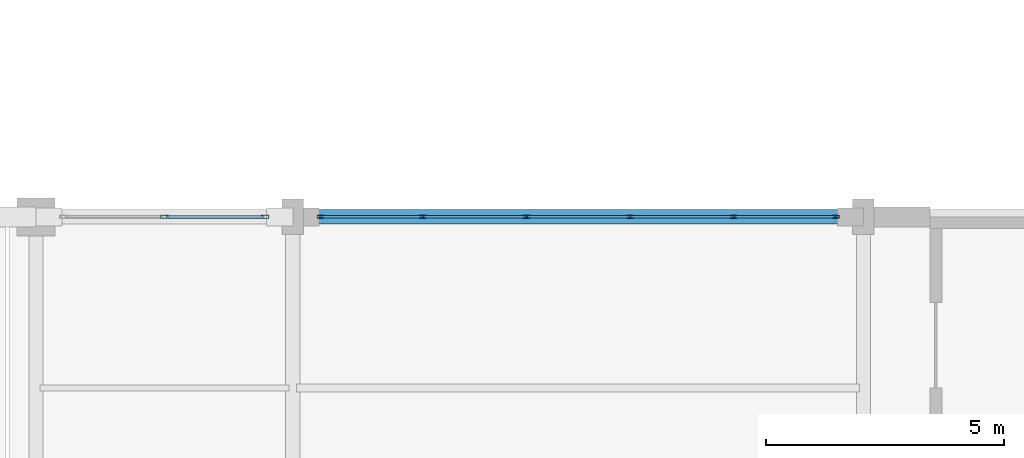
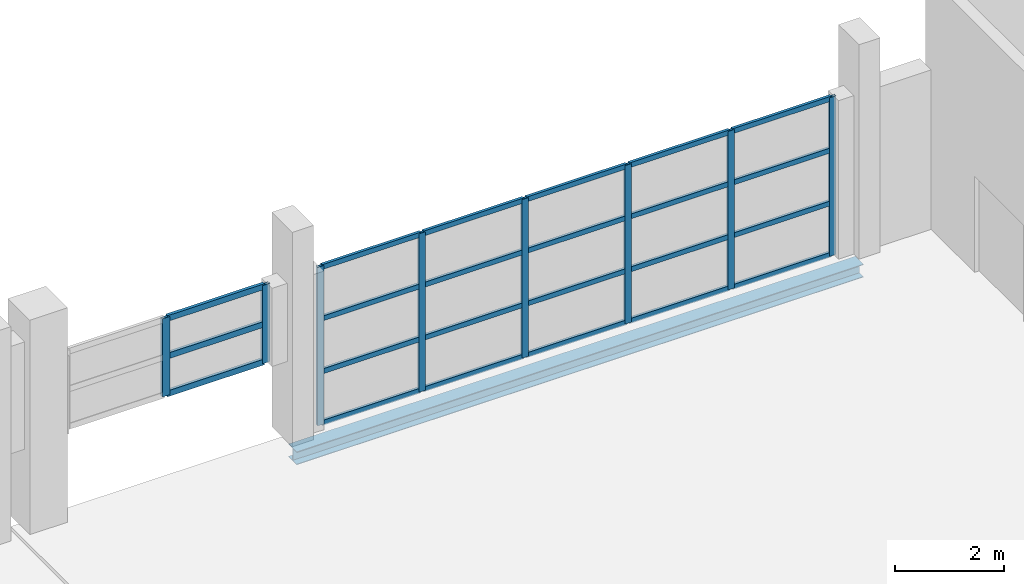
# One storey, part 65 of 86: 31 members, 1 beam, 2 elements without a shape of their own.
"""IFC4 building model written with IfcOpenShell, lengths in metres."""

from ifc_helpers import new_model, si_unit, direction, frame, origin, origin_2d, place, context, subcontext, project, spatial, hollow_rectangle, i_section, extrude, material, layer, layer_set, material_profile, profile_set, type_object, element, aggregate, save


model = new_model("IFC4")

# Units and contexts
model_context = context("Model", 3, precision=1e-05, world=origin(), true_north=direction((0.0, 1.0)))
body_context = subcontext(model_context, "Body", "Model", "MODEL_VIEW")
ifc_project = project(units=[si_unit("LENGTHUNIT", "METRE"), si_unit("AREAUNIT", "SQUARE_METRE"), si_unit("VOLUMEUNIT", "CUBIC_METRE"), si_unit("PLANEANGLEUNIT", "RADIAN"), si_unit("MASSUNIT", "GRAM", prefix="KILO")], contexts=[model_context])

# Site, building, storey
site_placement = place(None, origin())
site = spatial("IfcSite", under=ifc_project, at=site_placement, CompositionType="ELEMENT")
building_placement = place(site_placement, origin())
building = spatial("IfcBuilding", under=site, at=building_placement, Name="Zilviju Railside Exhibition Hall", CompositionType="ELEMENT")
storey_placement = place(building_placement, frame((0.0, 0.0, 12.60009765625)))
storey = spatial("IfcBuildingStorey", under=building, at=storey_placement, Name="L04", CompositionType="ELEMENT", Elevation=12.60009765625)

# Beam
ifc_material_1 = material(Name="Steel S355J2", Category="steel")
ifc_material_profile_1 = material_profile(ifc_material_1, i_section(OverallWidth=0.300048828125, OverallDepth=0.2900390625, WebThickness=0.008544921875, FlangeThickness=0.013916015625, at=origin_2d()), Name="HEA 300")
ifc_profile_set_1 = profile_set([ifc_material_profile_1], Name="Steel S355J2")
beam_type = type_object("IfcBeamType", Name="BM-HEA300", PredefinedType="SPANDREL", material=ifc_profile_set_1)
beam_placement = place(storey_placement, frame((180.0, 138.0, -0.47509765625), z_axis=(1.0, 0.0, 0.0), x_axis=(0.0, 1.0, 0.0)))
element("IfcBeam", 1, at=beam_placement, inside=storey, type_object=beam_type, Name="Primary Girder L04 Y=138.0 (180.0..192.0)", PredefinedType="SPANDREL", context=body_context, shape_type="SweptSolid", body=[
    extrude(i_section(OverallWidth=0.300048828125, OverallDepth=0.2900390625, WebThickness=0.008544921875, FlangeThickness=0.013916015625, at=origin_2d()), origin(), (0.0, 0.0, 1.0), 12.0),
])

# Curtain wall, members
ifc_material_2 = material(Name="Thermally broken aluminium-steel triple-glazed curtain wall", Category="steel")
ifc_layer_1 = layer(ifc_material_2, 0.179931640625)
ifc_layer_set_1 = layer_set([ifc_layer_1], Name="Thermally broken aluminium-steel triple-glazed curtain wall")
curtain_wall_type_1 = type_object("IfcCurtainWallType", Name="CW-BAY-11", PredefinedType="USERDEFINED", material=ifc_layer_set_1)
curtain_wall_1_placement = place(storey_placement, origin())
curtain_wall_1 = element("IfcCurtainWall", 2, at=curtain_wall_1_placement, inside=storey, type_object=curtain_wall_type_1, Name="North Hall Clerestory Curtain Wall L04 (180..192)", ObjectType="GLAZED CURTAIN WALL", PredefinedType="USERDEFINED")
ifc_material_3 = material(Name="Thermally broken anodized aluminium mullion", Category="aluminium")
ifc_material_profile_2 = material_profile(ifc_material_3, hollow_rectangle(XDim=0.06005859375, YDim=0.139892578125, WallThickness=0.0048828125, at=origin_2d()), Name="MULLION 140x60x5")
ifc_profile_set_2 = profile_set([ifc_material_profile_2], Name="Thermally broken anodized aluminium mullion")
member_type_1 = type_object("IfcMemberType", Name="CWM-60x140", PredefinedType="MULLION", material=ifc_profile_set_2)
member_1_placement = place(storey_placement, frame((180.580078125, 138.0, 0.0), z_axis=(0.0, 0.0, 1.0), x_axis=(0.0, 1.0, 0.0)))
member_1 = element("IfcMember", 3, at=member_1_placement, type_object=member_type_1, Name="CW-11 mullion 1", PredefinedType="MULLION", context=body_context, shape_type="SweptSolid", body=[
    extrude(hollow_rectangle(XDim=0.06005859375, YDim=0.139892578125, WallThickness=0.0048828125, at=origin_2d()), origin(), (0.0, 0.0, 1.0), 3.5498046875),
])
member_2_placement = place(storey_placement, frame((182.72998046875, 138.0, 0.0), z_axis=(0.0, 0.0, 1.0), x_axis=(0.0, 1.0, 0.0)))
member_2 = element("IfcMember", 4, at=member_2_placement, type_object=member_type_1, Name="CW-11 mullion 2", PredefinedType="MULLION", context=body_context, shape_type="SweptSolid", body=[
    extrude(hollow_rectangle(XDim=0.06005859375, YDim=0.139892578125, WallThickness=0.0048828125, at=origin_2d()), origin(), (0.0, 0.0, 1.0), 3.5498046875),
])
member_3_placement = place(storey_placement, frame((184.909912109375, 138.0, 0.0), z_axis=(0.0, 0.0, 1.0), x_axis=(0.0, 1.0, 0.0)))
member_3 = element("IfcMember", 5, at=member_3_placement, type_object=member_type_1, Name="CW-11 mullion 3", PredefinedType="MULLION", context=body_context, shape_type="SweptSolid", body=[
    extrude(hollow_rectangle(XDim=0.06005859375, YDim=0.139892578125, WallThickness=0.0048828125, at=origin_2d()), origin(), (0.0, 0.0, 1.0), 3.5498046875),
])
member_4_placement = place(storey_placement, frame((187.090087890625, 138.0, 0.0), z_axis=(0.0, 0.0, 1.0), x_axis=(0.0, 1.0, 0.0)))
member_4 = element("IfcMember", 6, at=member_4_placement, type_object=member_type_1, Name="CW-11 mullion 4", PredefinedType="MULLION", context=body_context, shape_type="SweptSolid", body=[
    extrude(hollow_rectangle(XDim=0.06005859375, YDim=0.139892578125, WallThickness=0.0048828125, at=origin_2d()), origin(), (0.0, 0.0, 1.0), 3.5498046875),
])
member_5_placement = place(storey_placement, frame((189.27001953125, 138.0, 0.0), z_axis=(0.0, 0.0, 1.0), x_axis=(0.0, 1.0, 0.0)))
member_5 = element("IfcMember", 7, at=member_5_placement, type_object=member_type_1, Name="CW-11 mullion 5", PredefinedType="MULLION", context=body_context, shape_type="SweptSolid", body=[
    extrude(hollow_rectangle(XDim=0.06005859375, YDim=0.139892578125, WallThickness=0.0048828125, at=origin_2d()), origin(), (0.0, 0.0, 1.0), 3.5498046875),
])
member_6_placement = place(storey_placement, frame((191.419921875, 138.0, 0.0), z_axis=(0.0, 0.0, 1.0), x_axis=(0.0, 1.0, 0.0)))
member_6 = element("IfcMember", 8, at=member_6_placement, type_object=member_type_1, Name="CW-11 mullion 6", PredefinedType="MULLION", context=body_context, shape_type="SweptSolid", body=[
    extrude(hollow_rectangle(XDim=0.06005859375, YDim=0.139892578125, WallThickness=0.0048828125, at=origin_2d()), origin(), (0.0, 0.0, 1.0), 3.5498046875),
])

ifc_layer_2 = layer(ifc_material_2, 0.179931640625)
ifc_layer_set_2 = layer_set([ifc_layer_2], Name="Thermally broken aluminium-steel triple-glazed curtain wall")
curtain_wall_type_2 = type_object("IfcCurtainWallType", Name="CW-BAY-10", PredefinedType="USERDEFINED", material=ifc_layer_set_2)
curtain_wall_2_placement = place(storey_placement, origin())
curtain_wall_2 = element("IfcCurtainWall", 9, at=curtain_wall_2_placement, inside=storey, type_object=curtain_wall_type_2, Name="North Hall Clerestory Curtain Wall L04 (175..180)", ObjectType="GLAZED CURTAIN WALL", PredefinedType="USERDEFINED")
ifc_material_profile_3 = material_profile(ifc_material_3, hollow_rectangle(XDim=0.06494140625, YDim=0.159912109375, WallThickness=0.0048828125, at=origin_2d()), Name="MULLION 160x65x5")
ifc_profile_set_3 = profile_set([ifc_material_profile_3], Name="Thermally broken anodized aluminium mullion")
member_type_2 = type_object("IfcMemberType", Name="CWM-65x160", PredefinedType="MULLION", material=ifc_profile_set_3)
member_7_placement = place(storey_placement, frame((177.300048828125, 138.0, 1.7998046875), z_axis=(0.0, 0.0, 1.0), x_axis=(0.0, 1.0, 0.0)))
member_7 = element("IfcMember", 10, at=member_7_placement, type_object=member_type_2, Name="CW-10 mullion 2", PredefinedType="MULLION", context=body_context, shape_type="SweptSolid", body=[
    extrude(hollow_rectangle(XDim=0.06494140625, YDim=0.159912109375, WallThickness=0.0048828125, at=origin_2d()), origin(), (0.0, 0.0, 1.0), 1.75),
])
member_8_placement = place(storey_placement, frame((179.41748046875, 138.0, 1.7998046875), z_axis=(0.0, 0.0, 1.0), x_axis=(0.0, 1.0, 0.0)))
member_8 = element("IfcMember", 11, at=member_8_placement, type_object=member_type_2, Name="CW-10 mullion 3", PredefinedType="MULLION", context=body_context, shape_type="SweptSolid", body=[
    extrude(hollow_rectangle(XDim=0.06494140625, YDim=0.159912109375, WallThickness=0.0048828125, at=origin_2d()), origin(), (0.0, 0.0, 1.0), 1.75),
])

# Member
ifc_material_4 = material(Name="Thermally broken anodized aluminium transom", Category="aluminium")
ifc_material_profile_4 = material_profile(ifc_material_4, hollow_rectangle(XDim=0.06005859375, YDim=0.110107421875, WallThickness=0.0048828125, at=origin_2d()), Name="TRANSOM 110x60x5")
ifc_profile_set_4 = profile_set([ifc_material_profile_4], Name="Thermally broken anodized aluminium transom")
member_type_3 = type_object("IfcMemberType", Name="CWT-60x110", PredefinedType="USERDEFINED", material=ifc_profile_set_4)
member_9_placement = place(storey_placement, frame((180.610107421875, 138.0, 0.02978515625), z_axis=(1.0, 0.0, 0.0), x_axis=(0.0, 1.0, 0.0)))
member_9 = element("IfcMember", 12, at=member_9_placement, type_object=member_type_3, Name="CW-11 transom 1.1", ObjectType="TRANSOM", PredefinedType="USERDEFINED", context=body_context, shape_type="SweptSolid", body=[
    extrude(hollow_rectangle(XDim=0.06005859375, YDim=0.110107421875, WallThickness=0.0048828125, at=origin_2d()), origin(), (0.0, 0.0, 1.0), 2.08984375),
])

member_10_placement = place(storey_placement, frame((180.610107421875, 138.0, 1.182861328125), z_axis=(1.0, 0.0, 0.0), x_axis=(0.0, 1.0, 0.0)))
member_10 = element("IfcMember", 13, at=member_10_placement, type_object=member_type_3, Name="CW-11 transom 1.2", ObjectType="TRANSOM", PredefinedType="USERDEFINED", context=body_context, shape_type="SweptSolid", body=[
    extrude(hollow_rectangle(XDim=0.06005859375, YDim=0.110107421875, WallThickness=0.0048828125, at=origin_2d()), origin(), (0.0, 0.0, 1.0), 2.08984375),
])

member_11_placement = place(storey_placement, frame((180.610107421875, 138.0, 2.366943359375), z_axis=(1.0, 0.0, 0.0), x_axis=(0.0, 1.0, 0.0)))
member_11 = element("IfcMember", 14, at=member_11_placement, type_object=member_type_3, Name="CW-11 transom 1.3", ObjectType="TRANSOM", PredefinedType="USERDEFINED", context=body_context, shape_type="SweptSolid", body=[
    extrude(hollow_rectangle(XDim=0.06005859375, YDim=0.110107421875, WallThickness=0.0048828125, at=origin_2d()), origin(), (0.0, 0.0, 1.0), 2.08984375),
])

member_12_placement = place(storey_placement, frame((180.610107421875, 138.0, 3.52001953125), z_axis=(1.0, 0.0, 0.0), x_axis=(0.0, 1.0, 0.0)))
member_12 = element("IfcMember", 15, at=member_12_placement, type_object=member_type_3, Name="CW-11 transom 1.4", ObjectType="TRANSOM", PredefinedType="USERDEFINED", context=body_context, shape_type="SweptSolid", body=[
    extrude(hollow_rectangle(XDim=0.06005859375, YDim=0.110107421875, WallThickness=0.0048828125, at=origin_2d()), origin(), (0.0, 0.0, 1.0), 2.08984375),
])

member_13_placement = place(storey_placement, frame((182.760009765625, 138.0, 0.02978515625), z_axis=(1.0, 0.0, 0.0), x_axis=(0.0, 1.0, 0.0)))
member_13 = element("IfcMember", 16, at=member_13_placement, type_object=member_type_3, Name="CW-11 transom 2.1", ObjectType="TRANSOM", PredefinedType="USERDEFINED", context=body_context, shape_type="SweptSolid", body=[
    extrude(hollow_rectangle(XDim=0.06005859375, YDim=0.110107421875, WallThickness=0.0048828125, at=origin_2d()), origin(), (0.0, 0.0, 1.0), 2.119873046875),
])

member_14_placement = place(storey_placement, frame((182.760009765625, 138.0, 1.182861328125), z_axis=(1.0, 0.0, 0.0), x_axis=(0.0, 1.0, 0.0)))
member_14 = element("IfcMember", 17, at=member_14_placement, type_object=member_type_3, Name="CW-11 transom 2.2", ObjectType="TRANSOM", PredefinedType="USERDEFINED", context=body_context, shape_type="SweptSolid", body=[
    extrude(hollow_rectangle(XDim=0.06005859375, YDim=0.110107421875, WallThickness=0.0048828125, at=origin_2d()), origin(), (0.0, 0.0, 1.0), 2.119873046875),
])

member_15_placement = place(storey_placement, frame((182.760009765625, 138.0, 2.366943359375), z_axis=(1.0, 0.0, 0.0), x_axis=(0.0, 1.0, 0.0)))
member_15 = element("IfcMember", 18, at=member_15_placement, type_object=member_type_3, Name="CW-11 transom 2.3", ObjectType="TRANSOM", PredefinedType="USERDEFINED", context=body_context, shape_type="SweptSolid", body=[
    extrude(hollow_rectangle(XDim=0.06005859375, YDim=0.110107421875, WallThickness=0.0048828125, at=origin_2d()), origin(), (0.0, 0.0, 1.0), 2.119873046875),
])

member_16_placement = place(storey_placement, frame((182.760009765625, 138.0, 3.52001953125), z_axis=(1.0, 0.0, 0.0), x_axis=(0.0, 1.0, 0.0)))
member_16 = element("IfcMember", 19, at=member_16_placement, type_object=member_type_3, Name="CW-11 transom 2.4", ObjectType="TRANSOM", PredefinedType="USERDEFINED", context=body_context, shape_type="SweptSolid", body=[
    extrude(hollow_rectangle(XDim=0.06005859375, YDim=0.110107421875, WallThickness=0.0048828125, at=origin_2d()), origin(), (0.0, 0.0, 1.0), 2.119873046875),
])

member_17_placement = place(storey_placement, frame((184.93994140625, 138.0, 0.02978515625), z_axis=(1.0, 0.0, 0.0), x_axis=(0.0, 1.0, 0.0)))
member_17 = element("IfcMember", 20, at=member_17_placement, type_object=member_type_3, Name="CW-11 transom 3.1", ObjectType="TRANSOM", PredefinedType="USERDEFINED", context=body_context, shape_type="SweptSolid", body=[
    extrude(hollow_rectangle(XDim=0.06005859375, YDim=0.110107421875, WallThickness=0.0048828125, at=origin_2d()), origin(), (0.0, 0.0, 1.0), 2.1201171875),
])

member_18_placement = place(storey_placement, frame((184.93994140625, 138.0, 1.182861328125), z_axis=(1.0, 0.0, 0.0), x_axis=(0.0, 1.0, 0.0)))
member_18 = element("IfcMember", 21, at=member_18_placement, type_object=member_type_3, Name="CW-11 transom 3.2", ObjectType="TRANSOM", PredefinedType="USERDEFINED", context=body_context, shape_type="SweptSolid", body=[
    extrude(hollow_rectangle(XDim=0.06005859375, YDim=0.110107421875, WallThickness=0.0048828125, at=origin_2d()), origin(), (0.0, 0.0, 1.0), 2.1201171875),
])

member_19_placement = place(storey_placement, frame((184.93994140625, 138.0, 2.366943359375), z_axis=(1.0, 0.0, 0.0), x_axis=(0.0, 1.0, 0.0)))
member_19 = element("IfcMember", 22, at=member_19_placement, type_object=member_type_3, Name="CW-11 transom 3.3", ObjectType="TRANSOM", PredefinedType="USERDEFINED", context=body_context, shape_type="SweptSolid", body=[
    extrude(hollow_rectangle(XDim=0.06005859375, YDim=0.110107421875, WallThickness=0.0048828125, at=origin_2d()), origin(), (0.0, 0.0, 1.0), 2.1201171875),
])

member_20_placement = place(storey_placement, frame((184.93994140625, 138.0, 3.52001953125), z_axis=(1.0, 0.0, 0.0), x_axis=(0.0, 1.0, 0.0)))
member_20 = element("IfcMember", 23, at=member_20_placement, type_object=member_type_3, Name="CW-11 transom 3.4", ObjectType="TRANSOM", PredefinedType="USERDEFINED", context=body_context, shape_type="SweptSolid", body=[
    extrude(hollow_rectangle(XDim=0.06005859375, YDim=0.110107421875, WallThickness=0.0048828125, at=origin_2d()), origin(), (0.0, 0.0, 1.0), 2.1201171875),
])

member_21_placement = place(storey_placement, frame((187.1201171875, 138.0, 0.02978515625), z_axis=(1.0, 0.0, 0.0), x_axis=(0.0, 1.0, 0.0)))
member_21 = element("IfcMember", 24, at=member_21_placement, type_object=member_type_3, Name="CW-11 transom 4.1", ObjectType="TRANSOM", PredefinedType="USERDEFINED", context=body_context, shape_type="SweptSolid", body=[
    extrude(hollow_rectangle(XDim=0.06005859375, YDim=0.110107421875, WallThickness=0.0048828125, at=origin_2d()), origin(), (0.0, 0.0, 1.0), 2.119873046875),
])

member_22_placement = place(storey_placement, frame((187.1201171875, 138.0, 1.182861328125), z_axis=(1.0, 0.0, 0.0), x_axis=(0.0, 1.0, 0.0)))
member_22 = element("IfcMember", 25, at=member_22_placement, type_object=member_type_3, Name="CW-11 transom 4.2", ObjectType="TRANSOM", PredefinedType="USERDEFINED", context=body_context, shape_type="SweptSolid", body=[
    extrude(hollow_rectangle(XDim=0.06005859375, YDim=0.110107421875, WallThickness=0.0048828125, at=origin_2d()), origin(), (0.0, 0.0, 1.0), 2.119873046875),
])

member_23_placement = place(storey_placement, frame((187.1201171875, 138.0, 2.366943359375), z_axis=(1.0, 0.0, 0.0), x_axis=(0.0, 1.0, 0.0)))
member_23 = element("IfcMember", 26, at=member_23_placement, type_object=member_type_3, Name="CW-11 transom 4.3", ObjectType="TRANSOM", PredefinedType="USERDEFINED", context=body_context, shape_type="SweptSolid", body=[
    extrude(hollow_rectangle(XDim=0.06005859375, YDim=0.110107421875, WallThickness=0.0048828125, at=origin_2d()), origin(), (0.0, 0.0, 1.0), 2.119873046875),
])

member_24_placement = place(storey_placement, frame((187.1201171875, 138.0, 3.52001953125), z_axis=(1.0, 0.0, 0.0), x_axis=(0.0, 1.0, 0.0)))
member_24 = element("IfcMember", 27, at=member_24_placement, type_object=member_type_3, Name="CW-11 transom 4.4", ObjectType="TRANSOM", PredefinedType="USERDEFINED", context=body_context, shape_type="SweptSolid", body=[
    extrude(hollow_rectangle(XDim=0.06005859375, YDim=0.110107421875, WallThickness=0.0048828125, at=origin_2d()), origin(), (0.0, 0.0, 1.0), 2.119873046875),
])

member_25_placement = place(storey_placement, frame((189.300048828125, 138.0, 0.02978515625), z_axis=(1.0, 0.0, 0.0), x_axis=(0.0, 1.0, 0.0)))
member_25 = element("IfcMember", 28, at=member_25_placement, type_object=member_type_3, Name="CW-11 transom 5.1", ObjectType="TRANSOM", PredefinedType="USERDEFINED", context=body_context, shape_type="SweptSolid", body=[
    extrude(hollow_rectangle(XDim=0.06005859375, YDim=0.110107421875, WallThickness=0.0048828125, at=origin_2d()), origin(), (0.0, 0.0, 1.0), 2.08984375),
])

member_26_placement = place(storey_placement, frame((189.300048828125, 138.0, 1.182861328125), z_axis=(1.0, 0.0, 0.0), x_axis=(0.0, 1.0, 0.0)))
member_26 = element("IfcMember", 29, at=member_26_placement, type_object=member_type_3, Name="CW-11 transom 5.2", ObjectType="TRANSOM", PredefinedType="USERDEFINED", context=body_context, shape_type="SweptSolid", body=[
    extrude(hollow_rectangle(XDim=0.06005859375, YDim=0.110107421875, WallThickness=0.0048828125, at=origin_2d()), origin(), (0.0, 0.0, 1.0), 2.08984375),
])

member_27_placement = place(storey_placement, frame((189.300048828125, 138.0, 2.366943359375), z_axis=(1.0, 0.0, 0.0), x_axis=(0.0, 1.0, 0.0)))
member_27 = element("IfcMember", 30, at=member_27_placement, type_object=member_type_3, Name="CW-11 transom 5.3", ObjectType="TRANSOM", PredefinedType="USERDEFINED", context=body_context, shape_type="SweptSolid", body=[
    extrude(hollow_rectangle(XDim=0.06005859375, YDim=0.110107421875, WallThickness=0.0048828125, at=origin_2d()), origin(), (0.0, 0.0, 1.0), 2.08984375),
])

member_28_placement = place(storey_placement, frame((189.300048828125, 138.0, 3.52001953125), z_axis=(1.0, 0.0, 0.0), x_axis=(0.0, 1.0, 0.0)))
member_28 = element("IfcMember", 31, at=member_28_placement, type_object=member_type_3, Name="CW-11 transom 5.4", ObjectType="TRANSOM", PredefinedType="USERDEFINED", context=body_context, shape_type="SweptSolid", body=[
    extrude(hollow_rectangle(XDim=0.06005859375, YDim=0.110107421875, WallThickness=0.0048828125, at=origin_2d()), origin(), (0.0, 0.0, 1.0), 2.08984375),
])

aggregate(curtain_wall_1, [member_1, member_2, member_3, member_4, member_5, member_6, member_9, member_10, member_11, member_12, member_13, member_14, member_15, member_16, member_17, member_18, member_19, member_20, member_21, member_22, member_23, member_24, member_25, member_26, member_27, member_28])

ifc_material_profile_5 = material_profile(ifc_material_4, hollow_rectangle(XDim=0.06494140625, YDim=0.1298828125, WallThickness=0.0048828125, at=origin_2d()), Name="TRANSOM 130x65x5")
ifc_profile_set_5 = profile_set([ifc_material_profile_5], Name="Thermally broken anodized aluminium transom")
member_type_4 = type_object("IfcMemberType", Name="CWT-65x130", PredefinedType="USERDEFINED", material=ifc_profile_set_5)
member_29_placement = place(storey_placement, frame((177.33251953125, 138.0, 1.83251953125), z_axis=(1.0, 0.0, 0.0), x_axis=(0.0, 1.0, 0.0)))
member_29 = element("IfcMember", 32, at=member_29_placement, type_object=member_type_4, Name="CW-10 transom 2.1", ObjectType="TRANSOM", PredefinedType="USERDEFINED", context=body_context, shape_type="SweptSolid", body=[
    extrude(hollow_rectangle(XDim=0.06494140625, YDim=0.1298828125, WallThickness=0.0048828125, at=origin_2d()), origin(), (0.0, 0.0, 1.0), 2.052490234375),
])

member_30_placement = place(storey_placement, frame((177.33251953125, 138.0, 2.6748046875), z_axis=(1.0, 0.0, 0.0), x_axis=(0.0, 1.0, 0.0)))
member_30 = element("IfcMember", 33, at=member_30_placement, type_object=member_type_4, Name="CW-10 transom 2.2", ObjectType="TRANSOM", PredefinedType="USERDEFINED", context=body_context, shape_type="SweptSolid", body=[
    extrude(hollow_rectangle(XDim=0.06494140625, YDim=0.1298828125, WallThickness=0.0048828125, at=origin_2d()), origin(), (0.0, 0.0, 1.0), 2.052490234375),
])

member_31_placement = place(storey_placement, frame((177.33251953125, 138.0, 3.517333984375), z_axis=(1.0, 0.0, 0.0), x_axis=(0.0, 1.0, 0.0)))
member_31 = element("IfcMember", 34, at=member_31_placement, type_object=member_type_4, Name="CW-10 transom 2.3", ObjectType="TRANSOM", PredefinedType="USERDEFINED", context=body_context, shape_type="SweptSolid", body=[
    extrude(hollow_rectangle(XDim=0.06494140625, YDim=0.1298828125, WallThickness=0.0048828125, at=origin_2d()), origin(), (0.0, 0.0, 1.0), 2.052490234375),
])

aggregate(curtain_wall_2, [member_7, member_8, member_29, member_30, member_31])

save(model, "model.ifc")
